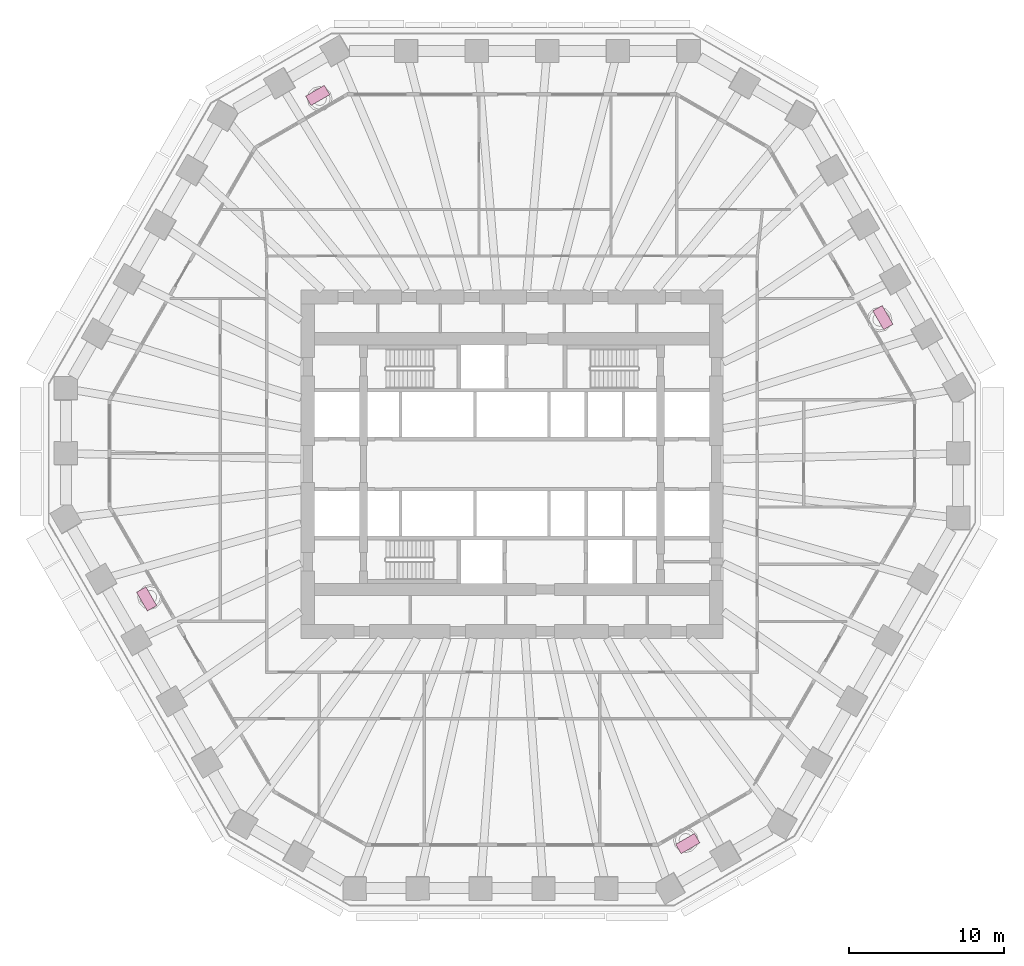
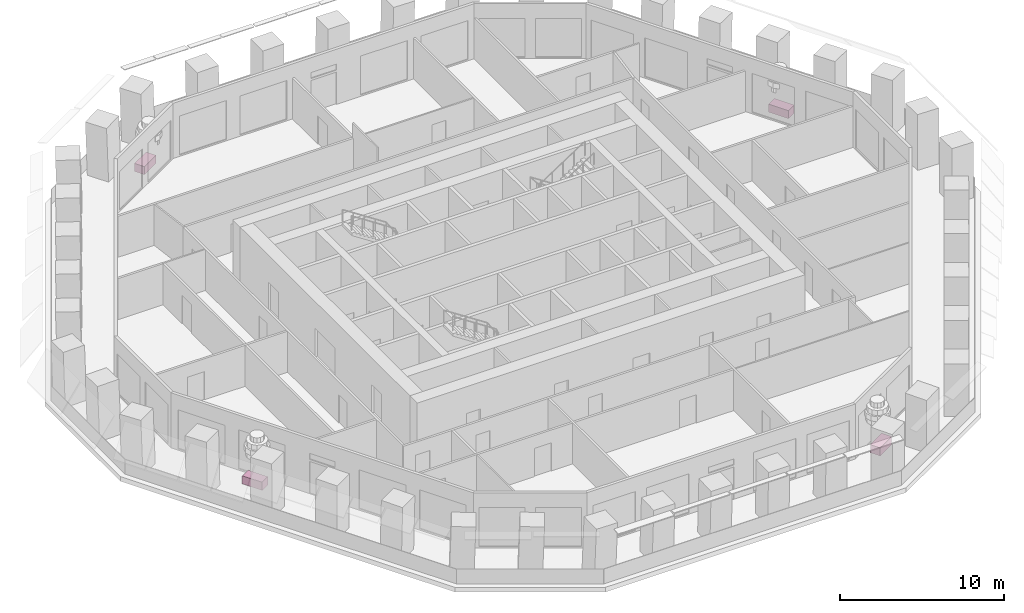
# One storey, part 12 of 13: 4 furniture elements.
"""IFC4 building model written with IfcOpenShell, lengths in metres."""

from ifc_helpers import new_model, si_unit, direction, frame, origin, origin_2d, place, context, subcontext, project, spatial, rectangle, extrude, material, type_object, element, save


model = new_model("IFC4")

# Units and contexts
model_context = context("Model", 3, precision=1e-05, world=origin(), true_north=direction((0.0, 1.0)))
body_context = subcontext(model_context, "Body", "Model", "MODEL_VIEW")
ifc_project = project(units=[si_unit("LENGTHUNIT", "METRE"), si_unit("AREAUNIT", "SQUARE_METRE"), si_unit("VOLUMEUNIT", "CUBIC_METRE"), si_unit("PLANEANGLEUNIT", "RADIAN"), si_unit("MASSUNIT", "GRAM", prefix="KILO")], contexts=[model_context])

# Site, building, storey
site_placement = place(None, origin())
site = spatial("IfcSite", under=ifc_project, at=site_placement, CompositionType="ELEMENT")
building_placement = place(site_placement, origin())
building = spatial("IfcBuilding", under=site, at=building_placement, Name="Frailejon Research Tower", CompositionType="ELEMENT")
storey_placement = place(building_placement, frame((0.0, 0.0, 36.60009765625)))
storey = spatial("IfcBuildingStorey", under=building, at=storey_placement, Name="L08", CompositionType="ELEMENT", Elevation=36.60009765625)

# Furniture
ifc_material = material(Name="Precast concrete C30/37 planter, terracotta", Category="masonry")
furniture_type = type_object("IfcFurnitureType", Name="Loggia planter 1400x700", AssemblyPlace="NOTDEFINED", PredefinedType="USERDEFINED", material=ifc_material)
for number, where, z_axis, x_axis, name in (
    (1, (23.967529296875, 9.469482421875, -0.000244140625), (0.0, 0.0, 1.0), (-0.5, 0.866025403784, 0.0), "Planter L08"),
    (2, (-12.5546875, 23.826904296875, -0.000244140625), (0.0, 0.0, 1.0), (-0.866025403784, -0.5, 0.0), "Planter L08"),
    (3, (-23.6083984375, -8.708984375, -0.000244140625), (0.0, 0.0, 1.0), (0.5, -0.866025403784, 0.0), "Planter L08"),
    (4, (11.357177734375, -24.518310546875, -0.000244140625), (0.0, 0.0, 1.0), (0.866025403784, 0.5, 0.0), "Planter L08"),
):
    element("IfcFurniture", number, at=place(storey_placement, frame(where, z_axis=z_axis, x_axis=x_axis)), inside=storey, type_object=furniture_type, Name=name, ObjectType="PLANTER", PredefinedType="USERDEFINED", context=body_context, shape_type="SweptSolid", body=[
        extrude(rectangle(XDim=1.39990234375, YDim=0.699951171875, at=origin_2d()), origin(), (0.0, 0.0, 1.0), 0.60009765625),
    ])

save(model, "model.ifc")
